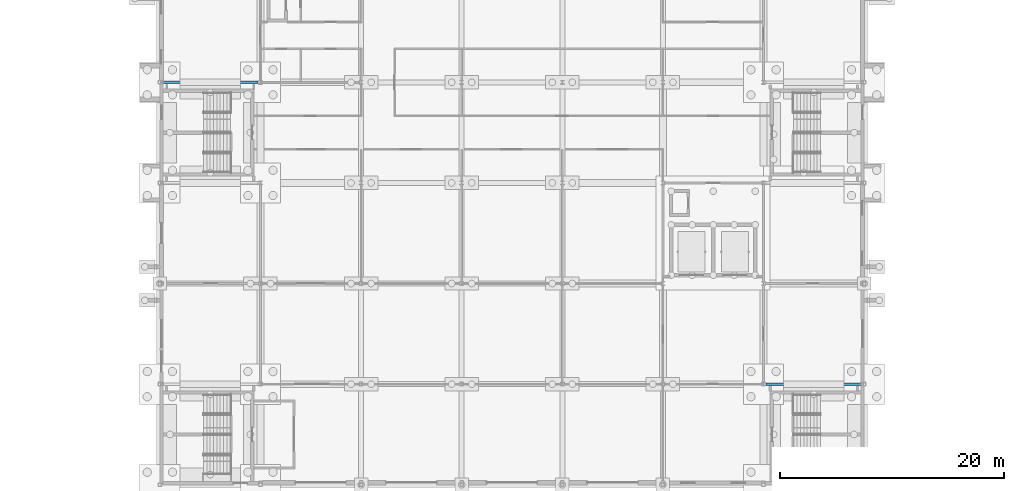
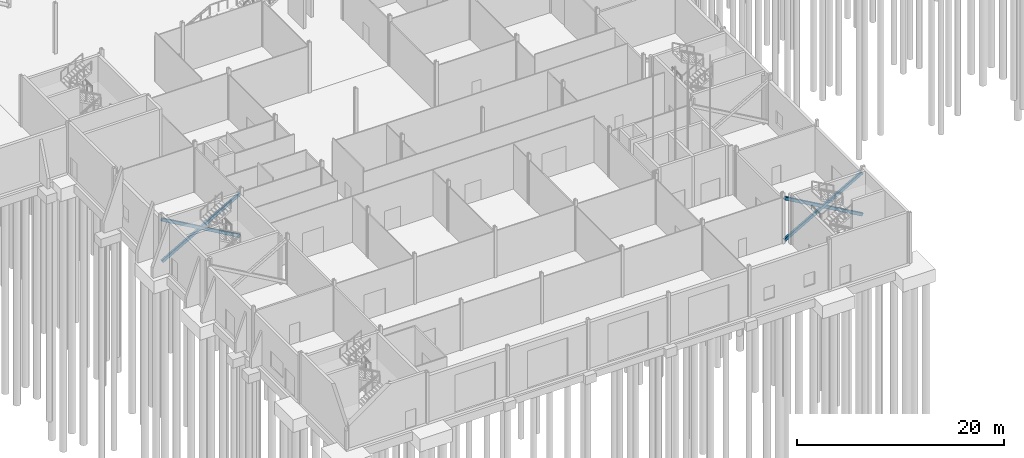
# One storey, part 41 of 139: 4 members.
"""IFC4 building model written with IfcOpenShell, lengths in metres."""

from ifc_helpers import new_model, si_unit, direction, frame, origin, origin_2d, place, context, subcontext, project, spatial, hollow_rectangle, extrude, material, material_profile, profile_set, type_object, element, save


model = new_model("IFC4")

# Units and contexts
model_context = context("Model", 3, precision=1e-05, world=origin(), true_north=direction((0.0, 1.0)))
body_context = subcontext(model_context, "Body", "Model", "MODEL_VIEW")
ifc_project = project(units=[si_unit("LENGTHUNIT", "METRE"), si_unit("AREAUNIT", "SQUARE_METRE"), si_unit("VOLUMEUNIT", "CUBIC_METRE"), si_unit("PLANEANGLEUNIT", "RADIAN"), si_unit("MASSUNIT", "GRAM", prefix="KILO")], contexts=[model_context])

# Site, building, storey
site_placement = place(None, origin())
site = spatial("IfcSite", under=ifc_project, at=site_placement, CompositionType="ELEMENT")
building_placement = place(site_placement, origin())
building = spatial("IfcBuilding", under=site, at=building_placement, Name="Shorebreak Coast Museum", CompositionType="ELEMENT")
storey_placement = place(building_placement, origin())
storey = spatial("IfcBuildingStorey", under=building, at=storey_placement, Name="L00", CompositionType="ELEMENT", Elevation=0.0)

# Members
ifc_material = material(Name="Steel Grade C450L0", Category="steel")
ifc_material_profile = material_profile(ifc_material, hollow_rectangle(XDim=0.25, YDim=0.35009765625, WallThickness=0.012451171875, InnerFilletRadius=0.018798828125, OuterFilletRadius=0.03125, at=origin_2d()), Name="350x250x12.5 RHS")
ifc_profile_set = profile_set([ifc_material_profile], Name="Steel Grade C450L0")
member_type = type_object("IfcMemberType", Name="X-brace 350x250x12.5 RHS", PredefinedType="BRACE", material=ifc_profile_set)
for number, where, z_axis, x_axis, name in (
    (1, (108.154541015625, 9.0, 0.300048828125), (0.86798657867, 0.0, 0.496587655152), (0.0, 1.0, 0.0), "X-brace bay 14 L00 diagonal 1"),
    (2, (116.85009765625, 9.0, 0.300048828125), (-0.86798657867, 0.0, 0.496587655152), (0.0, -1.0, 0.0), "X-brace bay 14 L00 diagonal 2"),
    (3, (54.14990234375, 36.0, 0.300048828125), (0.86798657867, 0.0, 0.496587655152), (0.0, 1.0, 0.0), "X-brace bay 16 L00 diagonal 1"),
    (4, (62.845458984375, 36.0, 0.300048828125), (-0.86798657867, 0.0, 0.496587655152), (0.0, -1.0, 0.0), "X-brace bay 16 L00 diagonal 2"),
):
    element("IfcMember", number, at=place(storey_placement, frame(where, z_axis=z_axis, x_axis=x_axis)), inside=storey, type_object=member_type, Name=name, PredefinedType="BRACE", context=body_context, shape_type="SweptSolid", body=[
        extrude(hollow_rectangle(XDim=0.25, YDim=0.35009765625, WallThickness=0.012451171875, InnerFilletRadius=0.018798828125, OuterFilletRadius=0.03125, at=origin_2d()), origin(), (0.0, 0.0, 1.0), 10.01806640625),
    ])

save(model, "model.ifc")
